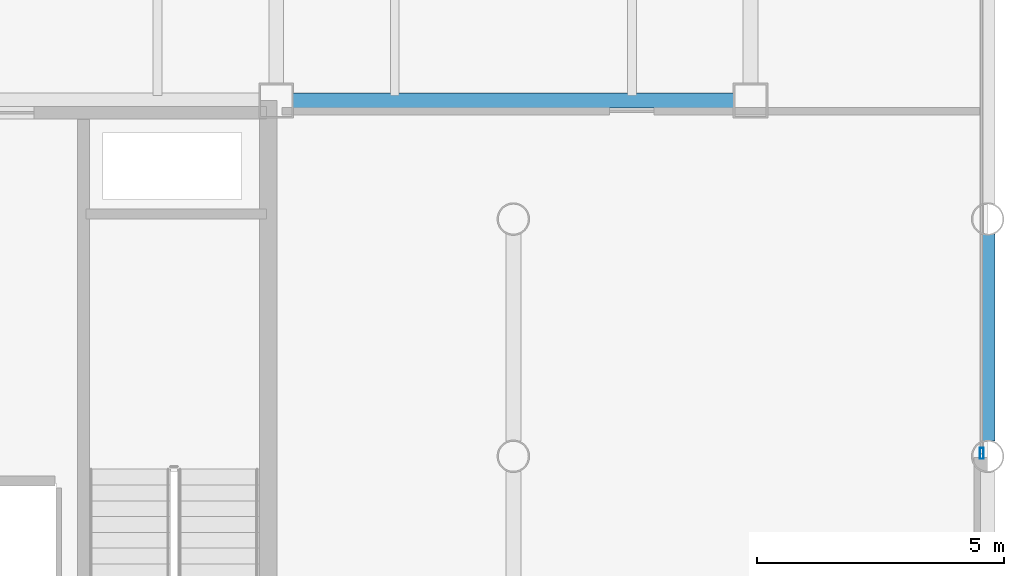
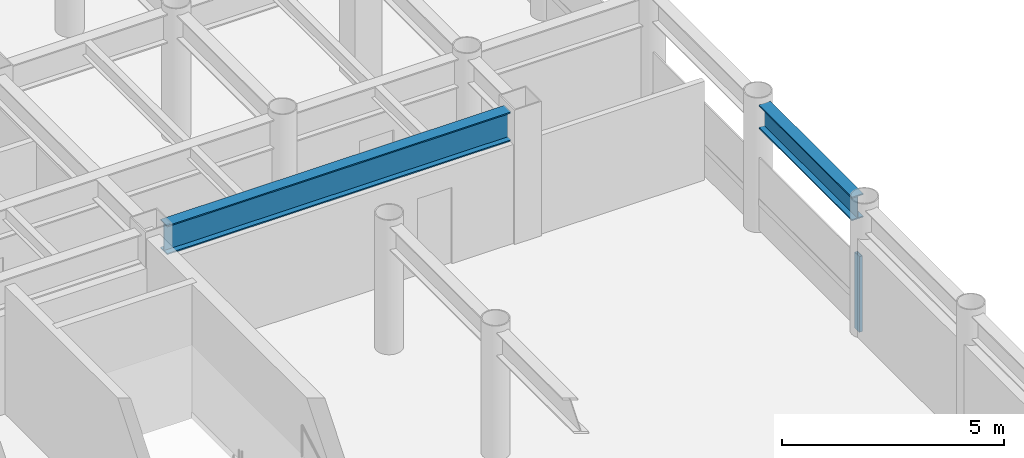
# One storey, part 8 of 20: 2 beams, 1 member, 1 element without a shape of its own.
"""IFC4 building model written with IfcOpenShell, lengths in metres."""

from ifc_helpers import new_model, si_unit, direction, frame, origin, origin_2d, place, context, subcontext, project, spatial, hollow_rectangle, i_section, extrude, material, layer, layer_set, material_profile, profile_set, type_object, element, aggregate, save


model = new_model("IFC4")

# Units and contexts
model_context = context("Model", 3, precision=1e-05, world=origin(), true_north=direction((0.0, 1.0)))
body_context = subcontext(model_context, "Body", "Model", "MODEL_VIEW")
ifc_project = project(units=[si_unit("LENGTHUNIT", "METRE"), si_unit("AREAUNIT", "SQUARE_METRE"), si_unit("VOLUMEUNIT", "CUBIC_METRE"), si_unit("PLANEANGLEUNIT", "RADIAN"), si_unit("MASSUNIT", "GRAM", prefix="KILO")], contexts=[model_context])

# Site, building, storey
site_placement = place(None, origin())
site = spatial("IfcSite", under=ifc_project, at=site_placement, CompositionType="ELEMENT")
building_placement = place(site_placement, origin())
building = spatial("IfcBuilding", under=site, at=building_placement, Name="Kallvorn Hotel Tower", CompositionType="ELEMENT")
storey_placement = place(building_placement, frame((0.0, 0.0, 128.5)))
storey = spatial("IfcBuildingStorey", under=building, at=storey_placement, Name="L31", CompositionType="ELEMENT", Elevation=128.5)

# Beams
ifc_material_1 = material(Name="Structural steel S355JR", Category="steel")
ifc_material_profile_1 = material_profile(ifc_material_1, i_section(OverallWidth=0.300048828125, OverallDepth=0.64990234375, WebThickness=0.01611328125, FlangeThickness=0.031005859375, at=origin_2d()), Name="HE 650 B")
ifc_profile_set_1 = profile_set([ifc_material_profile_1], Name="Structural steel S355JR")
beam_type_1 = type_object("IfcBeamType", Name="BM_HE650B", PredefinedType="BEAM", material=ifc_profile_set_1)
beam_1_placement = place(storey_placement, frame((28.800048828125, 0.304931640625, 3.195068359375), z_axis=(0.0, 1.0, 0.0), x_axis=(-1.0, 0.0, 0.0)))
element("IfcBeam", 1, at=beam_1_placement, inside=storey, type_object=beam_type_1, Name="L32 Primary Y-Girder 147", PredefinedType="BEAM", context=body_context, shape_type="SweptSolid", body=[
    extrude(i_section(OverallWidth=0.300048828125, OverallDepth=0.64990234375, WebThickness=0.01611328125, FlangeThickness=0.031005859375, at=origin_2d()), origin(), (0.0, 0.0, 1.0), 4.190185546875),
])
ifc_material_2 = material(Name="Structural steel S355JR", Category="steel")
ifc_material_profile_2 = material_profile(ifc_material_2, i_section(OverallWidth=0.300048828125, OverallDepth=0.800048828125, WebThickness=0.017578125, FlangeThickness=0.032958984375, at=origin_2d()), Name="HE 800 B")
ifc_profile_set_2 = profile_set([ifc_material_profile_2], Name="Structural steel S355JR")
beam_type_2 = type_object("IfcBeamType", Name="BM_HE800B", PredefinedType="BEAM", material=ifc_profile_set_2)
beam_2_placement = place(storey_placement, frame((14.72509765625, 7.199951171875, 3.1201171875), z_axis=(1.0, 0.0, 0.0), x_axis=(0.0, 1.0, 0.0)))
element("IfcBeam", 2, at=beam_2_placement, inside=storey, type_object=beam_type_2, Name="L32 Primary X-Girder 40", PredefinedType="BEAM", context=body_context, shape_type="SweptSolid", body=[
    extrude(i_section(OverallWidth=0.300048828125, OverallDepth=0.800048828125, WebThickness=0.017578125, FlangeThickness=0.032958984375, at=origin_2d()), origin(), (0.0, 0.0, 1.0), 8.949951171875),
])

# Curtain wall, member
ifc_material_3 = material(Name="Thermally broken black-anodised aluminium AA 6063-T6", Category="aluminium")
ifc_layer = layer(ifc_material_3, 0.2099609375)
ifc_layer_set = layer_set([ifc_layer], Name="CW_SYS_4_HOTEL_MID")
curtain_wall_type = type_object("IfcCurtainWallType", Name="CW_SYS_4_HOTEL_MID", PredefinedType="USERDEFINED", material=ifc_layer_set)
curtain_wall_placement = place(storey_placement, origin())
curtain_wall = element("IfcCurtainWall", 3, at=curtain_wall_placement, inside=storey, type_object=curtain_wall_type, Name="L31 Dark-Glass Curtain Wall CW-L31-EN", ObjectType="UNITISED CURTAIN WALL", PredefinedType="USERDEFINED")
ifc_material_4 = material(Name="Thermally broken black-anodised aluminium AA 6063-T6", Category="aluminium")
ifc_material_profile_3 = material_profile(ifc_material_4, hollow_rectangle(XDim=0.080078125, YDim=0.219970703125, WallThickness=0.0048828125, at=origin_2d()), Name="MUL 220x80")
ifc_profile_set_3 = profile_set([ifc_material_profile_3], Name="Thermally broken black-anodised aluminium AA 6063-T6")
member_type = type_object("IfcMemberType", Name="CW_MULLION_220x80", PredefinedType="MULLION", material=ifc_profile_set_3)
member_placement = place(storey_placement, frame((28.679931640625, 0.06005859375, 0.02001953125), z_axis=(0.0, 0.0, 1.0), x_axis=(1.0, 0.0, 0.0)))
member = element("IfcMember", 4, at=member_placement, type_object=member_type, Name="CW-L31-EN Mullion 00", PredefinedType="MULLION", context=body_context, shape_type="SweptSolid", body=[
    extrude(hollow_rectangle(XDim=0.080078125, YDim=0.219970703125, WallThickness=0.0048828125, at=origin_2d()), origin(), (0.0, 0.0, 1.0), 2.080078125),
])
aggregate(curtain_wall, [member])

save(model, "model.ifc")
